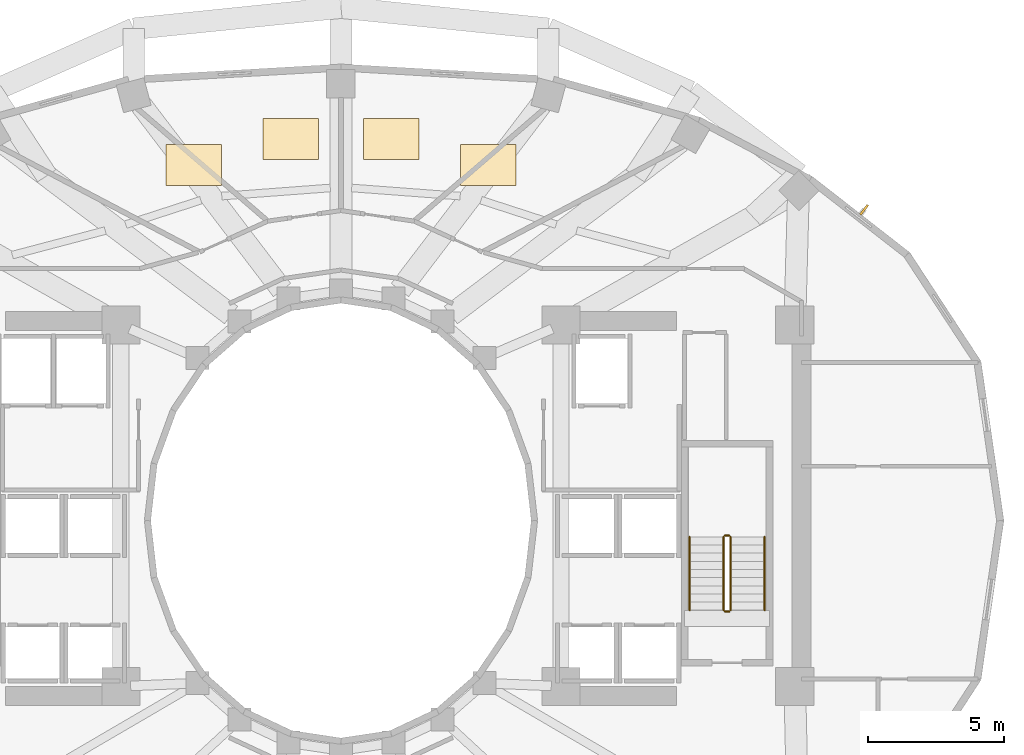
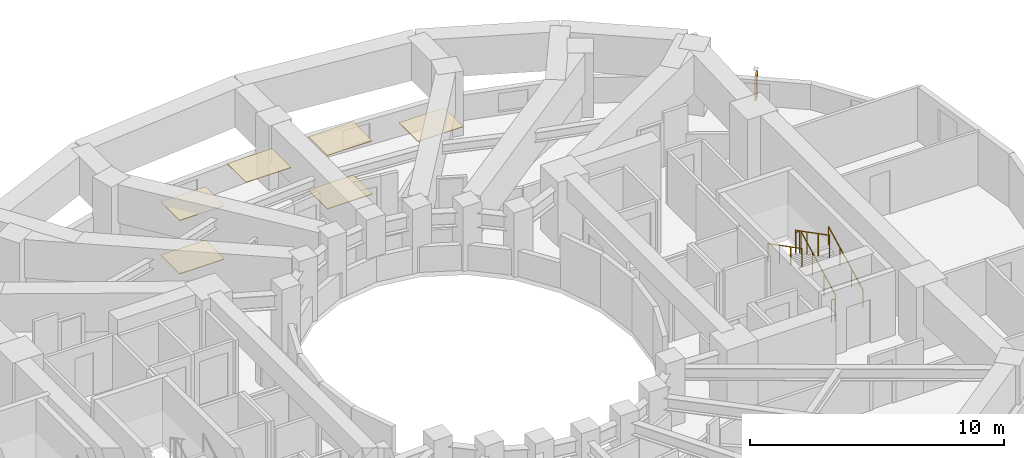
# One storey, part 10 of 10: 6 coverings, 6 railings, 1 shading device.
"""IFC4 building model written with IfcOpenShell, lengths in metres."""

from ifc_helpers import new_model, si_unit, direction, frame, origin, origin_2d, place, context, subcontext, project, spatial, polyline, rectangle, circle, outline, extrude, material, layer, layer_set, type_object, element, save


model = new_model("IFC4")

# Units and contexts
model_context = context("Model", 3, precision=1e-05, world=origin(), true_north=direction((0.0, 1.0)))
body_context = subcontext(model_context, "Body", "Model", "MODEL_VIEW")
ifc_project = project(units=[si_unit("LENGTHUNIT", "METRE"), si_unit("AREAUNIT", "SQUARE_METRE"), si_unit("VOLUMEUNIT", "CUBIC_METRE"), si_unit("PLANEANGLEUNIT", "RADIAN"), si_unit("MASSUNIT", "GRAM", prefix="KILO")], contexts=[model_context])

# Site, building, storey
site_placement = place(None, origin())
site = spatial("IfcSite", under=ifc_project, at=site_placement, CompositionType="ELEMENT")
building_placement = place(site_placement, origin())
building = spatial("IfcBuilding", under=site, at=building_placement, Name="Solvane Sanctuary Tower", CompositionType="ELEMENT")
storey_placement = place(building_placement, frame((0.0, 0.0, 101.10009765625)))
storey = spatial("IfcBuildingStorey", under=building, at=storey_placement, Name="L30", CompositionType="ELEMENT", Elevation=101.10009765625)

# Coverings
ifc_material_1 = material(Name="Acoustic Gypsum Partition Board")
ifc_layer_1 = layer(ifc_material_1, 0.02490234375, Name="Acoustic Gypsum Partition Board")
ifc_layer_set_1 = layer_set([ifc_layer_1], Name="Acoustic Gypsum Partition Board")
covering_type_1 = type_object("IfcCoveringType", Name="Covering CLG-ACOUST", PredefinedType="CEILING", material=ifc_layer_set_1)
covering_1_placement = place(storey_placement, frame((0.0, 0.0, 2.56982421875)))
element("IfcCovering", 1, at=covering_1_placement, inside=storey, type_object=covering_type_1, Name="L30 Unit Acoustic Ceiling Panel 1", PredefinedType="CEILING", context=body_context, shape_type="SweptSolid", body=[
    extrude(outline(polyline([(36.39404296875, 35.33203125), (38.444091796875, 35.33203125), (38.444091796875, 36.83203125), (36.39404296875, 36.83203125), (36.39404296875, 35.33203125)])), origin(), (0.0, 0.0, 1.0), 0.030029296875),
])
covering_2_placement = place(storey_placement, frame((0.0, 0.0, 2.56982421875)))
element("IfcCovering", 2, at=covering_2_placement, inside=storey, type_object=covering_type_1, Name="L30 Unit Acoustic Ceiling Panel 2", PredefinedType="CEILING", context=body_context, shape_type="SweptSolid", body=[
    extrude(outline(polyline([(32.822998046875, 36.2890625), (34.873046875, 36.2890625), (34.873046875, 37.7890625), (32.822998046875, 37.7890625), (32.822998046875, 36.2890625)])), origin(), (0.0, 0.0, 1.0), 0.030029296875),
])
covering_3_placement = place(storey_placement, frame((0.0, 0.0, 2.56982421875)))
element("IfcCovering", 3, at=covering_3_placement, inside=storey, type_object=covering_type_1, Name="L30 Unit Acoustic Ceiling Panel 3", PredefinedType="CEILING", context=body_context, shape_type="SweptSolid", body=[
    extrude(outline(polyline([(29.126953125, 36.2890625), (31.177001953125, 36.2890625), (31.177001953125, 37.7890625), (29.126953125, 37.7890625), (29.126953125, 36.2890625)])), origin(), (0.0, 0.0, 1.0), 0.030029296875),
])
covering_4_placement = place(storey_placement, frame((0.0, 0.0, 2.56982421875)))
element("IfcCovering", 4, at=covering_4_placement, inside=storey, type_object=covering_type_1, Name="L30 Unit Acoustic Ceiling Panel 4", PredefinedType="CEILING", context=body_context, shape_type="SweptSolid", body=[
    extrude(outline(polyline([(25.555908203125, 35.33203125), (27.60595703125, 35.33203125), (27.60595703125, 36.83203125), (25.555908203125, 36.83203125), (25.555908203125, 35.33203125)])), origin(), (0.0, 0.0, 1.0), 0.030029296875),
])
ifc_material_2 = material(Name="Ceramic Tile Finish")
ifc_layer_2 = layer(ifc_material_2, 0.030029296875, Name="Ceramic Tile Finish")
ifc_layer_set_2 = layer_set([ifc_layer_2], Name="Ceramic Tile Finish")
covering_type_2 = type_object("IfcCoveringType", Name="Covering FLR-TERRAZZO", PredefinedType="FLOORING", material=ifc_layer_set_2)
covering_5_placement = place(storey_placement, origin())
element("IfcCovering", 5, at=covering_5_placement, inside=storey, type_object=covering_type_2, Name="L30 Unit Terrazzo Inlay 2", PredefinedType="FLOORING", context=body_context, shape_type="SweptSolid", body=[
    extrude(outline(polyline([(32.822998046875, 36.2890625), (34.873046875, 36.2890625), (34.873046875, 37.7890625), (32.822998046875, 37.7890625), (32.822998046875, 36.2890625)])), origin(), (0.0, 0.0, 1.0), 0.034912109375),
])
covering_6_placement = place(storey_placement, origin())
element("IfcCovering", 6, at=covering_6_placement, inside=storey, type_object=covering_type_2, Name="L30 Unit Terrazzo Inlay 4", PredefinedType="FLOORING", context=body_context, shape_type="SweptSolid", body=[
    extrude(outline(polyline([(25.555908203125, 35.33203125), (27.60595703125, 35.33203125), (27.60595703125, 36.83203125), (25.555908203125, 36.83203125), (25.555908203125, 35.33203125)])), origin(), (0.0, 0.0, 1.0), 0.034912109375),
])

# Railings
ifc_material_3 = material(Name="Architectural Stainless Steel 316", Category="steel")
railing_type_1 = type_object("IfcRailingType", Name="Railing GR-BALC-1150", PredefinedType="BALUSTRADE", material=ifc_material_3)
railing_1_placement = place(storey_placement, frame((46.340087890625, 19.699951171875, 0.15478515625)))
element("IfcRailing", 7, at=railing_1_placement, inside=storey, type_object=railing_type_1, Name="L30 ST-2 stair guard 1", PredefinedType="BALUSTRADE", context=body_context, shape_type="SweptSolid", body=[
    extrude(circle(Radius=0.02392578125, at=origin_2d()), frame((0.0, 0.0, 1.076171875), z_axis=(0.0, 0.888419900624, 0.459031676658), x_axis=(-1.0, 0.0, 0.0)), (0.0, 0.0, 1.0), 3.0390625),
    extrude(circle(Radius=0.02099609375, at=origin_2d()), origin(), (0.0, 0.0, 1.0), 1.052001953125),
    extrude(circle(Radius=0.02099609375, at=origin_2d()), frame((0.0, 0.89990234375, 0.465087890625)), (0.0, 0.0, 1.0), 1.052001953125),
    extrude(circle(Radius=0.02099609375, at=origin_2d()), frame((0.0, 1.800048828125, 0.929931640625)), (0.0, 0.0, 1.0), 1.052001953125),
    extrude(circle(Radius=0.02099609375, at=origin_2d()), frame((0.0, 2.699951171875, 1.39501953125)), (0.0, 0.0, 1.0), 1.052001953125),
])
railing_2_placement = place(storey_placement, frame((46.2900390625, 22.449951171875, 1.5498046875)))
element("IfcRailing", 8, at=railing_2_placement, inside=storey, type_object=railing_type_1, Name="L30 ST-2 stair guard 2", PredefinedType="BALUSTRADE", context=body_context, shape_type="SweptSolid", body=[
    extrude(circle(Radius=0.02392578125, at=origin_2d()), frame((0.0, 0.0, 1.076171875), z_axis=(-1.0, 0.0, 0.0), x_axis=(0.0, -1.0, 0.0)), (0.0, 0.0, 1.0), 0.16015625),
    extrude(circle(Radius=0.02099609375, at=origin_2d()), origin(), (0.0, 0.0, 1.0), 1.052001953125),
    extrude(circle(Radius=0.02099609375, at=origin_2d()), frame((-0.16015625, 0.0, 0.0)), (0.0, 0.0, 1.0), 1.052001953125),
])
railing_3_placement = place(storey_placement, frame((46.080078125, 22.39990234375, 1.704833984375)))
element("IfcRailing", 9, at=railing_3_placement, inside=storey, type_object=railing_type_1, Name="L30 ST-2 stair guard 3", PredefinedType="BALUSTRADE", context=body_context, shape_type="SweptSolid", body=[
    extrude(circle(Radius=0.02392578125, at=origin_2d()), frame((0.0, 0.0, 1.076171875), z_axis=(0.0, -0.888419900624, 0.459031676658), x_axis=(1.0, 0.0, 0.0)), (0.0, 0.0, 1.0), 3.0390625),
    extrude(circle(Radius=0.02099609375, at=origin_2d()), origin(), (0.0, 0.0, 1.0), 1.052001953125),
    extrude(circle(Radius=0.02099609375, at=origin_2d()), frame((0.0, -0.89990234375, 0.465087890625)), (0.0, 0.0, 1.0), 1.052001953125),
    extrude(circle(Radius=0.02099609375, at=origin_2d()), frame((0.0, -1.800048828125, 0.929931640625)), (0.0, 0.0, 1.0), 1.052001953125),
    extrude(circle(Radius=0.02099609375, at=origin_2d()), frame((0.0, -2.699951171875, 1.39501953125)), (0.0, 0.0, 1.0), 1.052001953125),
])
railing_4_placement = place(storey_placement, frame((46.2900390625, 19.64990234375, 0.0)))
element("IfcRailing", 10, at=railing_4_placement, inside=storey, type_object=railing_type_1, Name="L30 ST-2 stair guard 4", PredefinedType="BALUSTRADE", context=body_context, shape_type="SweptSolid", body=[
    extrude(circle(Radius=0.02392578125, at=origin_2d()), frame((0.0, 0.0, 1.076171875), z_axis=(-1.0, 0.0, 0.0), x_axis=(0.0, -1.0, 0.0)), (0.0, 0.0, 1.0), 0.16015625),
    extrude(circle(Radius=0.02099609375, at=origin_2d()), origin(), (0.0, 0.0, 1.0), 1.052001953125),
    extrude(circle(Radius=0.02099609375, at=origin_2d()), frame((-0.16015625, 0.0, 0.0)), (0.0, 0.0, 1.0), 1.052001953125),
])
railing_type_2 = type_object("IfcRailingType", Name="Railing HR-STAIR-920", PredefinedType="HANDRAIL", material=ifc_material_3)
railing_5_placement = place(storey_placement, frame((47.590087890625, 19.699951171875, 0.15478515625)))
element("IfcRailing", 11, at=railing_5_placement, inside=storey, type_object=railing_type_2, Name="L30 ST-2 stair handrail 1", PredefinedType="HANDRAIL", context=body_context, shape_type="SweptSolid", body=[
    extrude(circle(Radius=0.02392578125, at=origin_2d()), frame((0.0, 0.0, 0.8759765625), z_axis=(0.0, 0.888419900624, 0.459031676658), x_axis=(-1.0, 0.0, 0.0)), (0.0, 0.0, 1.0), 3.0390625),
    extrude(circle(Radius=0.02099609375, at=origin_2d()), origin(), (0.0, 0.0, 1.0), 0.851806640625),
    extrude(circle(Radius=0.02099609375, at=origin_2d()), frame((0.0, 0.89990234375, 0.465087890625)), (0.0, 0.0, 1.0), 0.851806640625),
    extrude(circle(Radius=0.02099609375, at=origin_2d()), frame((0.0, 1.800048828125, 0.929931640625)), (0.0, 0.0, 1.0), 0.851806640625),
    extrude(circle(Radius=0.02099609375, at=origin_2d()), frame((0.0, 2.699951171875, 1.39501953125)), (0.0, 0.0, 1.0), 0.851806640625),
])
railing_6_placement = place(storey_placement, frame((44.830078125, 22.39990234375, 1.704833984375)))
element("IfcRailing", 12, at=railing_6_placement, inside=storey, type_object=railing_type_2, Name="L30 ST-2 stair handrail 2", PredefinedType="HANDRAIL", context=body_context, shape_type="SweptSolid", body=[
    extrude(circle(Radius=0.02392578125, at=origin_2d()), frame((0.0, 0.0, 0.8759765625), z_axis=(0.0, -0.888419900624, 0.459031676658), x_axis=(1.0, 0.0, 0.0)), (0.0, 0.0, 1.0), 3.0390625),
    extrude(circle(Radius=0.02099609375, at=origin_2d()), origin(), (0.0, 0.0, 1.0), 0.851806640625),
    extrude(circle(Radius=0.02099609375, at=origin_2d()), frame((0.0, -0.89990234375, 0.465087890625)), (0.0, 0.0, 1.0), 0.851806640625),
    extrude(circle(Radius=0.02099609375, at=origin_2d()), frame((0.0, -1.800048828125, 0.929931640625)), (0.0, 0.0, 1.0), 0.851806640625),
    extrude(circle(Radius=0.02099609375, at=origin_2d()), frame((0.0, -2.699951171875, 1.39501953125)), (0.0, 0.0, 1.0), 0.851806640625),
])

# Shading device
ifc_material_4 = material(Name="Anodised Aluminium 6063-T6", Category="aluminium")
ifc_layer_3 = layer(ifc_material_4, 0.080078125, Name="Anodised Aluminium 6063-T6")
ifc_layer_set_3 = layer_set([ifc_layer_3], Name="Anodised Aluminium 6063-T6")
shading_device_type = type_object("IfcShadingDeviceType", Name="Shading SHD-FIN", PredefinedType="USERDEFINED", material=ifc_layer_set_3)
shading_device_placement = place(storey_placement, frame((51.251953125, 34.43798828125, 0.0498046875), z_axis=(0.0, 0.0, 1.0), x_axis=(-0.789141976346, 0.614210827948, 0.0)))
element("IfcShadingDevice", 13, at=shading_device_placement, inside=storey, type_object=shading_device_type, Name="L30 Aerodynamic Vertical Fin 02", ObjectType="FIN", PredefinedType="USERDEFINED", context=body_context, shape_type="SweptSolid", body=[
    extrude(rectangle(XDim=0.080078125, YDim=0.449951171875, at=origin_2d()), origin(), (0.0, 0.0, 1.0), 1.1201171875),
])

save(model, "model.ifc")
